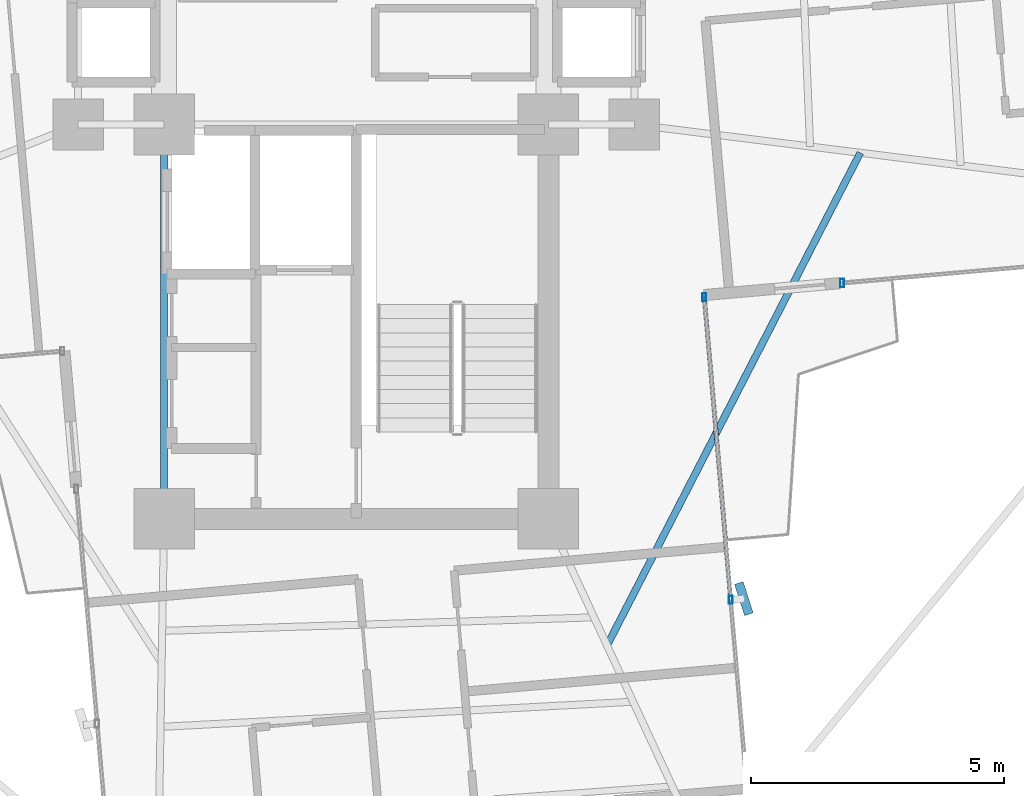
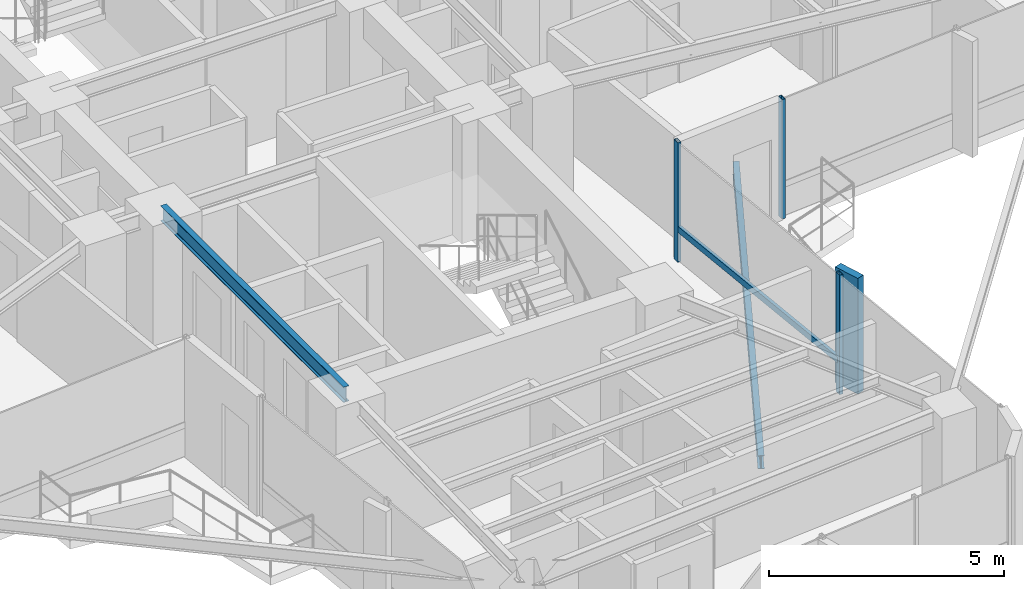
# One storey, part 7 of 24: 5 members, 2 beams, 2 elements without a shape of their own.
"""IFC4 building model written with IfcOpenShell, lengths in metres."""

from ifc_helpers import new_model, si_unit, direction, frame, origin, origin_2d, place, context, subcontext, project, spatial, rectangle, hollow_rectangle, i_section, extrude, source, transform, mapped, material, material_profile, profile_set, type_object, element, aggregate, save


model = new_model("IFC4")

# Units and contexts
model_context = context("Model", 3, precision=1e-05, world=origin(), true_north=direction((0.0, 1.0)))
body_context = subcontext(model_context, "Body", "Model", "MODEL_VIEW")
ifc_project = project(units=[si_unit("LENGTHUNIT", "METRE"), si_unit("AREAUNIT", "SQUARE_METRE"), si_unit("VOLUMEUNIT", "CUBIC_METRE"), si_unit("PLANEANGLEUNIT", "RADIAN"), si_unit("MASSUNIT", "GRAM", prefix="KILO")], contexts=[model_context])

# Site, building, storey
site_placement = place(None, origin())
site = spatial("IfcSite", under=ifc_project, at=site_placement, CompositionType="ELEMENT")
building_placement = place(site_placement, origin())
building = spatial("IfcBuilding", under=site, at=building_placement, Name="Sahyath Konkavel Grand Hotel", CompositionType="ELEMENT")
storey_placement = place(building_placement, frame((0.0, 0.0, 164.0)))
storey = spatial("IfcBuildingStorey", under=building, at=storey_placement, Name="L45", CompositionType="ELEMENT", Elevation=164.0)

# Beam
ifc_material_1 = material(Name="Steel E350", Category="steel")
ifc_material_profile_1 = material_profile(ifc_material_1, i_section(OverallWidth=0.139892578125, OverallDepth=0.39990234375, WebThickness=0.0087890625, FlangeThickness=0.01611328125, FilletRadius=0.013916015625, at=origin_2d()), Name="ISMB 400")
ifc_profile_set_1 = profile_set([ifc_material_profile_1], Name="Steel E350")
beam_type_1 = type_object("IfcBeamType", Name="BM-ISMB400", PredefinedType="BEAM", material=ifc_profile_set_1)
shared_shape_1 = source(origin(), body_context, "Body", "SweptSolid", [
    extrude(i_section(OverallWidth=0.139892578125, OverallDepth=0.39990234375, WebThickness=0.0087890625, FlangeThickness=0.01611328125, FilletRadius=0.013916015625, at=origin_2d()), origin(), (0.0, 0.0, 1.0), 7.800048828125),
])
beam_1_placement = place(storey_placement, frame((-3.800048828125, -10.199951171875, 2.909912109375), z_axis=(0.0, 1.0, 0.0), x_axis=(-1.0, 0.0, 0.0)))
element("IfcBeam", 1, at=beam_1_placement, inside=storey, type_object=beam_type_1, Name="str:bm:L45:SC-W", PredefinedType="BEAM", context=body_context, shape_type="MappedRepresentation", body=[
    mapped(shared_shape_1, transform((0.0, 0.0, 0.0), scale=1.0)),
])

# Curtain wall, member
ifc_material_2 = material(Name="Anodised Bronze Aluminium & Low-E Glazing", Category="aluminium")
curtain_wall_type = type_object("IfcCurtainWallType", Name="CW-ZONE3", PredefinedType="NOTDEFINED", material=ifc_material_2)
curtain_wall_1_placement = place(storey_placement, origin())
curtain_wall_1 = element("IfcCurtainWall", 2, at=curtain_wall_1_placement, inside=storey, type_object=curtain_wall_type, Name="L45 Unitised Curtain Wall F31", PredefinedType="NOTDEFINED")
ifc_material_3 = material(Name="Warm Buff Sandstone Cladding on Concrete C50/60", Category="masonry")
ifc_material_profile_2 = material_profile(ifc_material_3, rectangle(XDim=0.179931640625, YDim=0.64990234375, at=origin_2d()), Name="FIN 180x650")
ifc_profile_set_2 = profile_set([ifc_material_profile_2], Name="Warm Buff Sandstone Cladding on Concrete C50/60")
member_type_1 = type_object("IfcMemberType", Name="FIN-SANDSTONE-650", PredefinedType="MULLION", material=ifc_profile_set_2)
shared_shape_2 = source(origin(), body_context, "Body", "SweptSolid", [
    extrude(rectangle(XDim=0.179931640625, YDim=0.64990234375, at=origin_2d()), origin(), (0.0, 0.0, 1.0), 3.010009765625),
])
member_1_placement = place(storey_placement, frame((7.66552734375, -11.776611328125, 0.050048828125), z_axis=(0.0, 0.0, 1.0), x_axis=(0.952236042525, 0.30536293049, 0.0)))
member_1 = element("IfcMember", 3, at=member_1_placement, type_object=member_type_1, Name="L45 Sandstone Vertical Solar Fin FIN F31-1", PredefinedType="MULLION", context=body_context, shape_type="MappedRepresentation", body=[
    mapped(shared_shape_2, transform((0.0, 0.0, 0.0), scale=1.0)),
])

curtain_wall_2_placement = place(storey_placement, origin())
curtain_wall_2 = element("IfcCurtainWall", 4, at=curtain_wall_2_placement, inside=storey, type_object=curtain_wall_type, Name="L45 Unitised Curtain Wall F0", PredefinedType="NOTDEFINED")
ifc_material_4 = material(Name="Anodised Bronze Aluminium", Category="aluminium")
ifc_material_profile_3 = material_profile(ifc_material_4, hollow_rectangle(XDim=0.080078125, YDim=0.159912109375, WallThickness=0.006103515625, at=origin_2d()), Name="RHS 160x80x6")
ifc_profile_set_3 = profile_set([ifc_material_profile_3], Name="Anodised Bronze Aluminium")
member_type_2 = type_object("IfcMemberType", Name="CW-MUL-160", PredefinedType="MULLION", material=ifc_profile_set_3)
shared_shape_3 = source(origin(), body_context, "Body", "SweptSolid", [
    extrude(hollow_rectangle(XDim=0.080078125, YDim=0.159912109375, WallThickness=0.006103515625, at=origin_2d()), origin(), (0.0, 0.0, 1.0), 3.110107421875),
])
member_2_placement = place(storey_placement, frame((9.60888671875, -5.53369140625, 0.0), z_axis=(0.0, 0.0, 1.0), x_axis=(1.0, 0.0, 0.0)))
member_2 = element("IfcMember", 5, at=member_2_placement, type_object=member_type_2, Name="L45 Curtain Wall Mullion F0-0", PredefinedType="MULLION", context=body_context, shape_type="MappedRepresentation", body=[
    mapped(shared_shape_3, transform((0.0, 0.0, 0.0), scale=1.0)),
])
aggregate(curtain_wall_2, [member_2])

# Member
member_3_placement = place(storey_placement, frame((7.406494140625, -11.79931640625, 0.0), z_axis=(0.0, 0.0, 1.0), x_axis=(1.0, 0.0, 0.0)))
member_3 = element("IfcMember", 6, at=member_3_placement, type_object=member_type_2, Name="L45 Curtain Wall Mullion F31-1", PredefinedType="MULLION", context=body_context, shape_type="MappedRepresentation", body=[
    mapped(shared_shape_3, transform((0.0, 0.0, 0.0), scale=1.0)),
])

member_4_placement = place(storey_placement, frame((6.8828125, -5.812255859375, 0.0), z_axis=(0.0, 0.0, 1.0), x_axis=(1.0, 0.0, 0.0)))
member_4 = element("IfcMember", 7, at=member_4_placement, type_object=member_type_2, Name="L45 Curtain Wall Mullion F31-2", PredefinedType="MULLION", context=body_context, shape_type="MappedRepresentation", body=[
    mapped(shared_shape_3, transform((0.0, 0.0, 0.0), scale=1.0)),
])

ifc_material_profile_4 = material_profile(ifc_material_4, hollow_rectangle(XDim=0.080078125, YDim=0.159912109375, WallThickness=0.006103515625, at=origin_2d()), Name="RHS 160x80x6")
ifc_profile_set_4 = profile_set([ifc_material_profile_4], Name="Anodised Bronze Aluminium")
member_type_3 = type_object("IfcMemberType", Name="CW-TRN-160", PredefinedType="USERDEFINED", material=ifc_profile_set_4)
shared_shape_4 = source(origin(), body_context, "Body", "SweptSolid", [
    extrude(hollow_rectangle(XDim=0.080078125, YDim=0.159912109375, WallThickness=0.006103515625, at=origin_2d()), origin(), (0.0, 0.0, 1.0), 6.010009765625),
])
member_5_placement = place(storey_placement, frame((7.406494140625, -11.79931640625, 0.85009765625), z_axis=(-0.087136210597, 0.996196406741, 0.0), x_axis=(-0.996196406741, -0.087136210597, 0.0)))
member_5 = element("IfcMember", 8, at=member_5_placement, type_object=member_type_3, Name="L45 Curtain Wall Transom F31-1-spandrel", ObjectType="TRANSOM", PredefinedType="USERDEFINED", context=body_context, shape_type="MappedRepresentation", body=[
    mapped(shared_shape_4, transform((0.0, 0.0, 0.0), scale=1.0)),
])

aggregate(curtain_wall_1, [member_3, member_1, member_4, member_5])

# Beam
ifc_material_profile_5 = material_profile(ifc_material_1, i_section(OverallWidth=0.139892578125, OverallDepth=0.35009765625, WebThickness=0.008056640625, FlangeThickness=0.01416015625, FilletRadius=0.013916015625, at=origin_2d()), Name="ISMB 350")
ifc_profile_set_5 = profile_set([ifc_material_profile_5], Name="Steel E350")
beam_type_2 = type_object("IfcBeamType", Name="BM-BALC-CANT", PredefinedType="BEAM", material=ifc_profile_set_5)
shared_shape_5 = source(origin(), body_context, "Body", "SweptSolid", [
    extrude(i_section(OverallWidth=0.139892578125, OverallDepth=0.35009765625, WebThickness=0.008056640625, FlangeThickness=0.01416015625, FilletRadius=0.013916015625, at=origin_2d()), origin(), (0.0, 0.0, 1.0), 10.95556640625),
])
beam_2_placement = place(storey_placement, frame((4.959716796875, -12.703125, -0.4150390625), z_axis=(0.457186878355, 0.889370652912, 0.0), x_axis=(-0.889370652912, 0.457186878355, 0.0)))
element("IfcBeam", 9, at=beam_2_placement, inside=storey, type_object=beam_type_2, Name="L45 Balcony Cantilever Support Beam SE", PredefinedType="BEAM", context=body_context, shape_type="MappedRepresentation", body=[
    mapped(shared_shape_5, transform((0.0, 0.0, 0.0), scale=1.0)),
])

save(model, "model.ifc")
